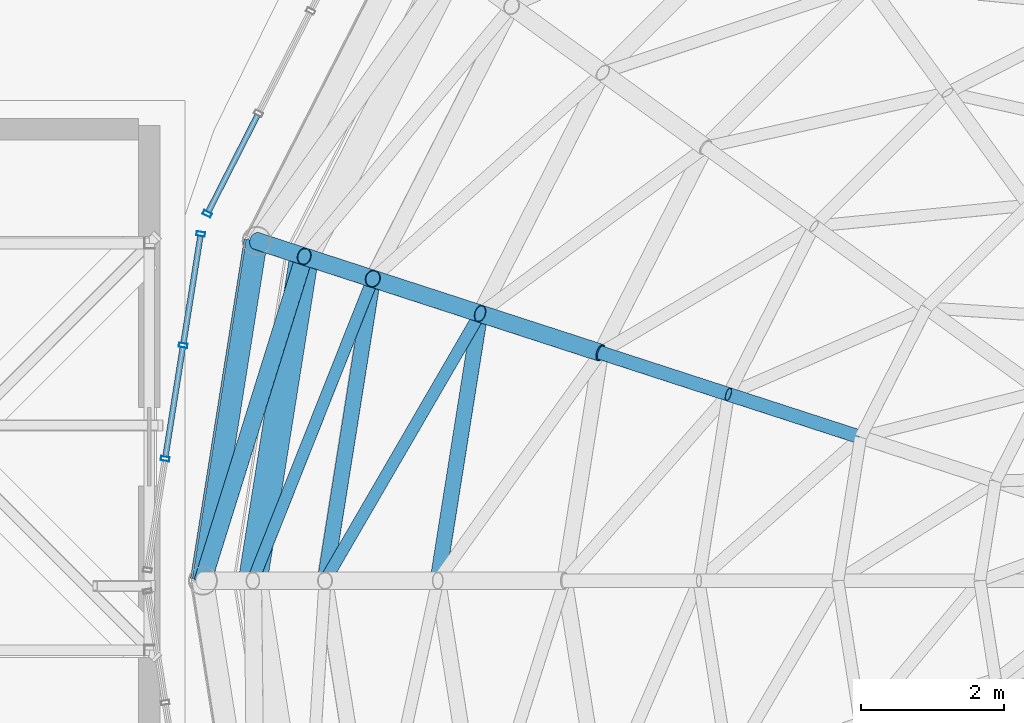
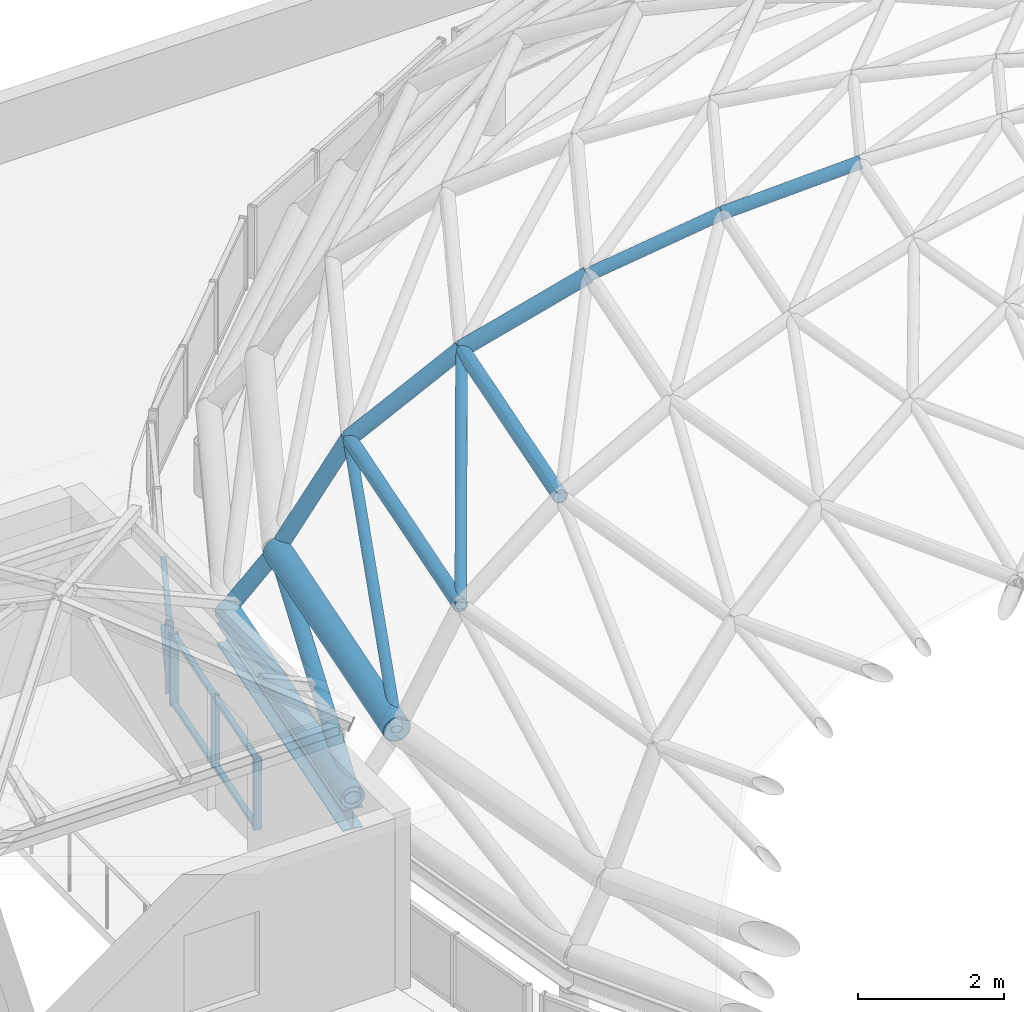
# One storey, part 23 of 69: 23 members, 1 beam, 2 elements without a shape of their own.
"""IFC4 building model written with IfcOpenShell, lengths in metres."""

from ifc_helpers import new_model, si_unit, direction, frame, origin, origin_2d, place, context, subcontext, project, spatial, hollow_rectangle, hollow_circle, i_section, extrude, material, layer, layer_set, material_profile, profile_set, type_object, element, aggregate, save


model = new_model("IFC4")

# Units and contexts
model_context = context("Model", 3, precision=1e-05, world=origin(), true_north=direction((0.0, 1.0)))
body_context = subcontext(model_context, "Body", "Model", "MODEL_VIEW")
ifc_project = project(units=[si_unit("LENGTHUNIT", "METRE"), si_unit("AREAUNIT", "SQUARE_METRE"), si_unit("VOLUMEUNIT", "CUBIC_METRE"), si_unit("PLANEANGLEUNIT", "RADIAN"), si_unit("MASSUNIT", "GRAM", prefix="KILO")], contexts=[model_context])

# Site, building, storey
site_placement = place(None, origin())
site = spatial("IfcSite", under=ifc_project, at=site_placement, CompositionType="ELEMENT")
building_placement = place(site_placement, origin())
building = spatial("IfcBuilding", under=site, at=building_placement, Name="Kallimachos Central Library", CompositionType="ELEMENT")
storey_placement = place(building_placement, frame((0.0, 0.0, 23.39990234375)))
storey = spatial("IfcBuildingStorey", under=building, at=storey_placement, Name="L05", CompositionType="ELEMENT", Elevation=23.39990234375)

# Members
ifc_material_1 = material(Name="Steel S355J2H", Category="steel")
ifc_material_profile_1 = material_profile(ifc_material_1, hollow_circle(Radius=0.084228515625, WallThickness=0.008056640625, at=origin_2d()), Name="CHS 168.3x8")
ifc_profile_set_1 = profile_set([ifc_material_profile_1], Name="Steel S355J2H")
member_type_1 = type_object("IfcMemberType", Name="CHS 168.3x8 dome diagonal", PredefinedType="BRACE", material=ifc_profile_set_1)
member_1_placement = place(storey_placement, frame((76.4833984375, 108.141845703125, 5.268310546875), z_axis=(-0.481802526154, -0.82982215062, -0.281534232611), x_axis=(0.864802382549, -0.502112377001, 0.0)))
element("IfcMember", 1, at=member_1_placement, inside=storey, type_object=member_type_1, Name="Dome diagonal DD-5-09", PredefinedType="BRACE", context=body_context, shape_type="SweptSolid", body=[
    extrude(hollow_circle(Radius=0.084228515625, WallThickness=0.008056640625, at=origin_2d()), origin(), (0.0, 0.0, 1.0), 4.50927734375),
])
member_2_placement = place(storey_placement, frame((74.980712890625, 108.630126953125, 3.998779296875), z_axis=(-0.345366378347, -0.869285769555, -0.35364433483), x_axis=(0.929339732878, -0.369225758708, 0.0)))
element("IfcMember", 2, at=member_2_placement, inside=storey, type_object=member_type_1, Name="Dome diagonal DD-6-09", PredefinedType="BRACE", context=body_context, shape_type="SweptSolid", body=[
    extrude(hollow_circle(Radius=0.084228515625, WallThickness=0.008056640625, at=origin_2d()), origin(), (0.0, 0.0, 1.0), 4.8662109375),
])
ifc_material_2 = material(Name="Steel S355J2H", Category="steel")
ifc_material_profile_2 = material_profile(ifc_material_2, hollow_circle(Radius=0.096923828125, WallThickness=0.010009765625, at=origin_2d()), Name="CHS 193.7x10")
ifc_profile_set_2 = profile_set([ifc_material_profile_2], Name="Steel S355J2H")
member_type_2 = type_object("IfcMemberType", Name="CHS 193.7x10 dome rib", PredefinedType="RAFTER", material=ifc_profile_set_2)
for number, where, z_axis, x_axis, name in (
    (3, (81.815185546875, 106.40966796875, 7.582763671875), (-0.912231924273, 0.296340074016, -0.282870070651), (-0.308958483241, -0.951075525725, 0.0), "Dome rib DR-2-09"),
    (4, (79.96337890625, 107.01123046875, 7.008544921875), (-0.881880269853, 0.286584028782, -0.374375191607), (-0.309059678962, -0.951042646173, 0.0), "Dome rib DR-3-09"),
):
    element("IfcMember", number, at=place(storey_placement, frame(where, z_axis=z_axis, x_axis=x_axis)), inside=storey, type_object=member_type_2, Name=name, PredefinedType="RAFTER", context=body_context, shape_type="SweptSolid", body=[
        extrude(hollow_circle(Radius=0.096923828125, WallThickness=0.010009765625, at=origin_2d()), origin(), (0.0, 0.0, 1.0), 2.030029296875),
    ])
ifc_material_3 = material(Name="Steel S355J2H", Category="steel")
ifc_material_profile_3 = material_profile(ifc_material_3, hollow_circle(Radius=0.109619140625, WallThickness=0.012451171875, at=origin_2d()), Name="CHS 219.1x12.5")
ifc_profile_set_3 = profile_set([ifc_material_profile_3], Name="Steel S355J2H")
member_type_3 = type_object("IfcMemberType", Name="CHS 219.1x12.5 dome ring", PredefinedType="PURLIN", material=ifc_profile_set_3)
member_3_placement = place(storey_placement, frame((76.4833984375, 108.141845703125, 5.268310546875), z_axis=(-0.156399366664, -0.987693898993, 0.0), x_axis=(0.987693898993, -0.156399366664, 0.0)))
element("IfcMember", 5, at=member_3_placement, inside=storey, type_object=member_type_3, Name="Dome ring DN-5-09", PredefinedType="PURLIN", context=body_context, shape_type="SweptSolid", body=[
    extrude(hollow_circle(Radius=0.109619140625, WallThickness=0.012451171875, at=origin_2d()), origin(), (0.0, 0.0, 1.0), 3.78857421875),
])
member_4_placement = place(storey_placement, frame((74.980712890625, 108.630126953125, 3.998779296875), z_axis=(-0.156416270198, -0.987691222203, 0.0), x_axis=(0.987691222203, -0.156416270198, 0.0)))
element("IfcMember", 6, at=member_4_placement, inside=storey, type_object=member_type_3, Name="Dome ring DN-6-09", PredefinedType="PURLIN", context=body_context, shape_type="SweptSolid", body=[
    extrude(hollow_circle(Radius=0.109619140625, WallThickness=0.012451171875, at=origin_2d()), origin(), (0.0, 0.0, 1.0), 4.282958984375),
])
ifc_material_4 = material(Name="Steel S355J2H", Category="steel")
ifc_material_profile_4 = material_profile(ifc_material_4, hollow_circle(Radius=0.122314453125, WallThickness=0.012451171875, at=origin_2d()), Name="CHS 244.5x12.5")
ifc_profile_set_4 = profile_set([ifc_material_profile_4], Name="Steel S355J2H")
member_type_4 = type_object("IfcMemberType", Name="CHS 244.5x12.5 dome diagonal", PredefinedType="BRACE", material=ifc_profile_set_4)
member_5_placement = place(storey_placement, frame((74.01953125, 108.942626953125, 2.27783203125), z_axis=(-0.293050295556, -0.937871835125, -0.18579005666), x_axis=(0.954490017903, -0.298242863658, 0.0)))
element("IfcMember", 7, at=member_5_placement, inside=storey, type_object=member_type_4, Name="Dome diagonal DD-7-09", PredefinedType="BRACE", context=body_context, shape_type="SweptSolid", body=[
    extrude(hollow_circle(Radius=0.122314453125, WallThickness=0.012451171875, at=origin_2d()), origin(), (0.0, 0.0, 1.0), 4.84375),
])
ifc_material_5 = material(Name="Steel S355J2H", Category="steel")
ifc_material_profile_5 = material_profile(ifc_material_5, hollow_circle(Radius=0.122314453125, WallThickness=0.012451171875, at=origin_2d()), Name="CHS 244.5x12.5")
ifc_profile_set_5 = profile_set([ifc_material_profile_5], Name="Steel S355J2H")
member_type_5 = type_object("IfcMemberType", Name="CHS 244.5x12.5 dome rib", PredefinedType="RAFTER", material=ifc_profile_set_5)
member_6_placement = place(storey_placement, frame((78.173095703125, 107.593017578125, 6.24853515625), z_axis=(-0.832744245787, 0.270482454057, -0.483090326085), x_axis=(-0.308921380563, -0.951087577792, 0.0)))
element("IfcMember", 8, at=member_6_placement, inside=storey, type_object=member_type_5, Name="Dome rib DR-4-09", PredefinedType="RAFTER", context=body_context, shape_type="SweptSolid", body=[
    extrude(hollow_circle(Radius=0.122314453125, WallThickness=0.012451171875, at=origin_2d()), origin(), (0.0, 0.0, 1.0), 2.029052734375),
])
member_7_placement = place(storey_placement, frame((76.4833984375, 108.141845703125, 5.268310546875), z_axis=(-0.741383201847, 0.240904371031, -0.62635136468), x_axis=(-0.309033663672, -0.951051099951, 0.0)))
element("IfcMember", 9, at=member_7_placement, inside=storey, type_object=member_type_5, Name="Dome rib DR-5-09", PredefinedType="RAFTER", context=body_context, shape_type="SweptSolid", body=[
    extrude(hollow_circle(Radius=0.122314453125, WallThickness=0.012451171875, at=origin_2d()), origin(), (0.0, 0.0, 1.0), 2.02685546875),
])
member_8_placement = place(storey_placement, frame((74.980712890625, 108.630126953125, 3.998779296875), z_axis=(-0.481604104485, 0.156579439609, -0.862287867035), x_axis=(-0.309189847474, -0.951000335551, 0.0)))
element("IfcMember", 10, at=member_8_placement, inside=storey, type_object=member_type_5, Name="Dome rib DR-6-09", PredefinedType="RAFTER", context=body_context, shape_type="SweptSolid", body=[
    extrude(hollow_circle(Radius=0.122314453125, WallThickness=0.012451171875, at=origin_2d()), origin(), (0.0, 0.0, 1.0), 1.995849609375),
])
member_9_placement = place(storey_placement, frame((74.01953125, 108.942626953125, 2.27783203125), z_axis=(-0.583950472089, 0.189725015868, -0.78930745879), x_axis=(-0.308999325213, -0.951062257173, 0.0)))
element("IfcMember", 11, at=member_9_placement, inside=storey, type_object=member_type_5, Name="Dome rib DR-7-09", PredefinedType="RAFTER", context=body_context, shape_type="SweptSolid", body=[
    extrude(hollow_circle(Radius=0.122314453125, WallThickness=0.012451171875, at=origin_2d()), origin(), (0.0, 0.0, 1.0), 1.14013671875),
])
ifc_material_6 = material(Name="Steel S355J2H", Category="steel")
ifc_material_profile_6 = material_profile(ifc_material_6, hollow_circle(Radius=0.177734375, WallThickness=0.008056640625, at=origin_2d()), Name="CHS 355.6x8")
ifc_profile_set_6 = profile_set([ifc_material_profile_6], Name="Steel S355J2H")
member_type_6 = type_object("IfcMemberType", Name="CHS 355.6x8 dome ring", PredefinedType="PURLIN", material=ifc_profile_set_6)
member_10_placement = place(storey_placement, frame((73.353759765625, 109.158935546875, 1.3779296875), z_axis=(-0.15641529171, -0.987691377162, 0.0), x_axis=(0.987691377162, -0.15641529171, 0.0)))
element("IfcMember", 12, at=member_10_placement, inside=storey, type_object=member_type_6, Name="Dome ring DN-8-09", PredefinedType="PURLIN", context=body_context, shape_type="SweptSolid", body=[
    extrude(hollow_circle(Radius=0.177734375, WallThickness=0.008056640625, at=origin_2d()), origin(), (0.0, 0.0, 1.0), 4.818359375),
])
ifc_material_7 = material(Name="Steel S355J2H", Category="steel")
ifc_material_profile_7 = material_profile(ifc_material_7, hollow_circle(Radius=0.203125, WallThickness=0.012451171875, at=origin_2d()), Name="CHS 406.4x12.5")
ifc_profile_set_7 = profile_set([ifc_material_profile_7], Name="Steel S355J2H")
member_type_7 = type_object("IfcMemberType", Name="CHS 406.4x12.5 dome ring", PredefinedType="PURLIN", material=ifc_profile_set_7)
member_11_placement = place(storey_placement, frame((74.01953125, 108.942626953125, 2.27783203125), z_axis=(-0.156431395311, -0.987688826788, 0.0), x_axis=(0.987688826788, -0.156431395311, 0.0)))
element("IfcMember", 13, at=member_11_placement, inside=storey, type_object=member_type_7, Name="Dome ring DN-7-09", PredefinedType="PURLIN", context=body_context, shape_type="SweptSolid", body=[
    extrude(hollow_circle(Radius=0.203125, WallThickness=0.012451171875, at=origin_2d()), origin(), (0.0, 0.0, 1.0), 4.599365234375),
])

# Curtain wall, member
ifc_material_8 = material(Name="Anodised aluminium and laminated glass", Category="aluminium")
ifc_layer = layer(ifc_material_8, 0.159912109375)
ifc_layer_set = layer_set([ifc_layer], Name="Glass box curtain wall")
curtain_wall_type = type_object("IfcCurtainWallType", Name="Glass box curtain wall", PredefinedType="NOTDEFINED", material=ifc_layer_set)
curtain_wall_1_placement = place(storey_placement, origin())
curtain_wall_1 = element("IfcCurtainWall", 14, at=curtain_wall_1_placement, inside=storey, type_object=curtain_wall_type, Name="Drum clerestory facet 9", PredefinedType="NOTDEFINED")
ifc_material_9 = material(Name="Anodised aluminium", Category="aluminium")
ifc_material_profile_8 = material_profile(ifc_material_9, hollow_rectangle(XDim=0.06005859375, YDim=0.1201171875, WallThickness=0.00390625, at=origin_2d()), Name="ALU MULLION 60x120")
ifc_profile_set_8 = profile_set([ifc_material_profile_8], Name="Anodised aluminium")
member_type_8 = type_object("IfcMemberType", Name="Glass box mullion 60x120", PredefinedType="MULLION", material=ifc_profile_set_8)
member_12_placement = place(storey_placement, frame((72.66162109375, 109.53955078125, 0.0), z_axis=(0.0, 0.0, 1.0), x_axis=(-0.453990803653, -0.891006369337, 0.0)))
member_12 = element("IfcMember", 15, at=member_12_placement, type_object=member_type_8, Name="CW43 mullion 4", PredefinedType="MULLION", context=body_context, shape_type="SweptSolid", body=[
    extrude(hollow_rectangle(XDim=0.06005859375, YDim=0.1201171875, WallThickness=0.00390625, at=origin_2d()), origin(), (0.0, 0.0, 1.0), 1.2001953125),
])

# Curtain wall, members
curtain_wall_2_placement = place(storey_placement, origin())
curtain_wall_2 = element("IfcCurtainWall", 16, at=curtain_wall_2_placement, inside=storey, type_object=curtain_wall_type, Name="Drum clerestory facet 10", PredefinedType="NOTDEFINED")
member_13_placement = place(storey_placement, frame((72.570068359375, 109.2578125, 0.0), z_axis=(0.0, 0.0, 1.0), x_axis=(-0.156435338924, -0.987688202185, 0.0)))
member_13 = element("IfcMember", 17, at=member_13_placement, type_object=member_type_8, Name="CW44 mullion 1", PredefinedType="MULLION", context=body_context, shape_type="SweptSolid", body=[
    extrude(hollow_rectangle(XDim=0.06005859375, YDim=0.1201171875, WallThickness=0.00390625, at=origin_2d()), origin(), (0.0, 0.0, 1.0), 1.2001953125),
])
member_14_placement = place(storey_placement, frame((72.322998046875, 107.69775390625, 0.0), z_axis=(0.0, 0.0, 1.0), x_axis=(-0.156435338924, -0.987688202185, 0.0)))
member_14 = element("IfcMember", 18, at=member_14_placement, type_object=member_type_8, Name="CW44 mullion 2", PredefinedType="MULLION", context=body_context, shape_type="SweptSolid", body=[
    extrude(hollow_rectangle(XDim=0.06005859375, YDim=0.1201171875, WallThickness=0.00390625, at=origin_2d()), origin(), (0.0, 0.0, 1.0), 1.2001953125),
])
member_15_placement = place(storey_placement, frame((72.071044921875, 106.108154296875, 0.0), z_axis=(0.0, 0.0, 1.0), x_axis=(-0.156435338924, -0.987688202185, 0.0)))
member_15 = element("IfcMember", 19, at=member_15_placement, type_object=member_type_8, Name="CW44 mullion 3", PredefinedType="MULLION", context=body_context, shape_type="SweptSolid", body=[
    extrude(hollow_rectangle(XDim=0.06005859375, YDim=0.1201171875, WallThickness=0.00390625, at=origin_2d()), origin(), (0.0, 0.0, 1.0), 1.2001953125),
])

# Member
ifc_material_10 = material(Name="Anodised aluminium", Category="aluminium")
ifc_material_profile_9 = material_profile(ifc_material_10, hollow_rectangle(XDim=0.06005859375, YDim=0.080078125, WallThickness=0.00390625, at=origin_2d()), Name="ALU TRANSOM 60x80")
ifc_profile_set_9 = profile_set([ifc_material_profile_9], Name="Anodised aluminium")
member_type_9 = type_object("IfcMemberType", Name="Glass box transom 60x80", PredefinedType="USERDEFINED", material=ifc_profile_set_9)
member_16_placement = place(storey_placement, frame((73.364990234375, 110.920166015625, 0.030029296875), z_axis=(-0.454077415739, -0.890962232935, 0.0), x_axis=(0.0, 0.0, 1.0)))
member_16 = element("IfcMember", 20, at=member_16_placement, type_object=member_type_9, Name="CW43 transom 3.1", ObjectType="TRANSOM", PredefinedType="USERDEFINED", context=body_context, shape_type="SweptSolid", body=[
    extrude(hollow_rectangle(XDim=0.06005859375, YDim=0.080078125, WallThickness=0.00390625, at=origin_2d()), origin(), (0.0, 0.0, 1.0), 1.51953125),
])

member_17_placement = place(storey_placement, frame((73.364990234375, 110.920166015625, 1.170166015625), z_axis=(-0.454077415739, -0.890962232935, 0.0), x_axis=(0.0, 0.0, 1.0)))
member_17 = element("IfcMember", 21, at=member_17_placement, type_object=member_type_9, Name="CW43 transom 3.2", ObjectType="TRANSOM", PredefinedType="USERDEFINED", context=body_context, shape_type="SweptSolid", body=[
    extrude(hollow_rectangle(XDim=0.06005859375, YDim=0.080078125, WallThickness=0.00390625, at=origin_2d()), origin(), (0.0, 0.0, 1.0), 1.51953125),
])

aggregate(curtain_wall_1, [member_12, member_16, member_17])

member_18_placement = place(storey_placement, frame((72.565185546875, 109.22802734375, 0.030029296875), z_axis=(-0.156342115329, -0.987702962927, 0.0), x_axis=(0.0, 0.0, 1.0)))
member_18 = element("IfcMember", 22, at=member_18_placement, type_object=member_type_9, Name="CW44 transom 1.1", ObjectType="TRANSOM", PredefinedType="USERDEFINED", context=body_context, shape_type="SweptSolid", body=[
    extrude(hollow_rectangle(XDim=0.06005859375, YDim=0.080078125, WallThickness=0.00390625, at=origin_2d()), origin(), (0.0, 0.0, 1.0), 1.51953125),
])

member_19_placement = place(storey_placement, frame((72.565185546875, 109.22802734375, 1.170166015625), z_axis=(-0.156342115329, -0.987702962927, 0.0), x_axis=(0.0, 0.0, 1.0)))
member_19 = element("IfcMember", 23, at=member_19_placement, type_object=member_type_9, Name="CW44 transom 1.2", ObjectType="TRANSOM", PredefinedType="USERDEFINED", context=body_context, shape_type="SweptSolid", body=[
    extrude(hollow_rectangle(XDim=0.06005859375, YDim=0.080078125, WallThickness=0.00390625, at=origin_2d()), origin(), (0.0, 0.0, 1.0), 1.51953125),
])

member_20_placement = place(storey_placement, frame((72.318115234375, 107.668212890625, 0.030029296875), z_axis=(-0.156447981544, -0.987686199696, 0.0), x_axis=(0.0, 0.0, 1.0)))
member_20 = element("IfcMember", 24, at=member_20_placement, type_object=member_type_9, Name="CW44 transom 2.1", ObjectType="TRANSOM", PredefinedType="USERDEFINED", context=body_context, shape_type="SweptSolid", body=[
    extrude(hollow_rectangle(XDim=0.06005859375, YDim=0.080078125, WallThickness=0.00390625, at=origin_2d()), origin(), (0.0, 0.0, 1.0), 1.549560546875),
])

member_21_placement = place(storey_placement, frame((72.318115234375, 107.668212890625, 1.170166015625), z_axis=(-0.156447981544, -0.987686199696, 0.0), x_axis=(0.0, 0.0, 1.0)))
member_21 = element("IfcMember", 25, at=member_21_placement, type_object=member_type_9, Name="CW44 transom 2.2", ObjectType="TRANSOM", PredefinedType="USERDEFINED", context=body_context, shape_type="SweptSolid", body=[
    extrude(hollow_rectangle(XDim=0.06005859375, YDim=0.080078125, WallThickness=0.00390625, at=origin_2d()), origin(), (0.0, 0.0, 1.0), 1.549560546875),
])

aggregate(curtain_wall_2, [member_13, member_14, member_15, member_18, member_19, member_20, member_21])

# Beam
ifc_material_11 = material(Name="Steel S355J2", Category="steel")
ifc_material_profile_10 = material_profile(ifc_material_11, i_section(OverallWidth=0.300048828125, OverallDepth=0.360107421875, WebThickness=0.012451171875, FlangeThickness=0.0224609375, FilletRadius=0.027099609375, at=origin_2d()), Name="HEB 360")
ifc_profile_set_10 = profile_set([ifc_material_profile_10], Name="Steel S355J2")
beam_type = type_object("IfcBeamType", Name="HEB 360 beam", PredefinedType="BEAM", material=ifc_profile_set_10)
beam_placement = place(storey_placement, frame((73.353759765625, 109.158935546875, 1.02001953125), z_axis=(-0.15641529171, -0.987691377162, 0.0), x_axis=(0.987691377162, -0.15641529171, 0.0)))
element("IfcBeam", 26, at=beam_placement, inside=storey, type_object=beam_type, Name="V1-BEM-L05-010", PredefinedType="BEAM", context=body_context, shape_type="SweptSolid", body=[
    extrude(i_section(OverallWidth=0.300048828125, OverallDepth=0.360107421875, WebThickness=0.012451171875, FlangeThickness=0.0224609375, FilletRadius=0.027099609375, at=origin_2d()), origin(), (0.0, 0.0, 1.0), 4.818359375),
])

save(model, "model.ifc")
